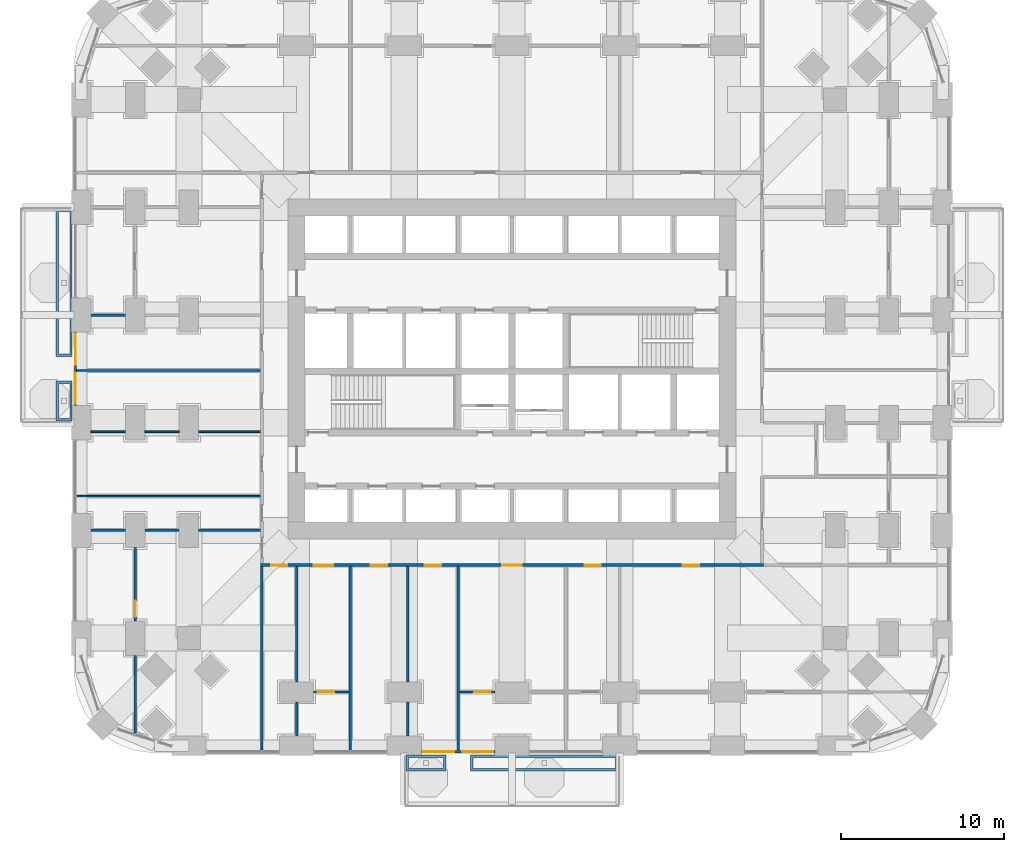
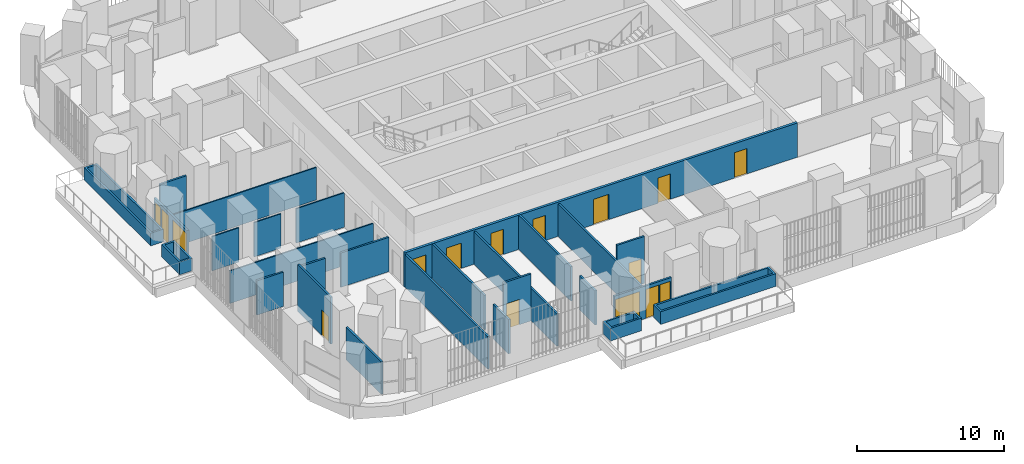
# One storey, part 17 of 26: 27 walls, 12 doors, 4 windows, 16 openings.
"""IFC4 building model written with IfcOpenShell, lengths in metres."""

from ifc_helpers import new_model, si_unit, direction, frame, frame_2d, origin, place, context, subcontext, project, spatial, polyline, rectangle, outline, extrude, material, layer, layer_set, type_object, element, fill, save


model = new_model("IFC4")

# Units and contexts
model_context = context("Model", 3, precision=1e-05, world=origin(), true_north=direction((0.0, 1.0)))
body_context = subcontext(model_context, "Body", "Model", "MODEL_VIEW")
ifc_project = project(units=[si_unit("LENGTHUNIT", "METRE"), si_unit("AREAUNIT", "SQUARE_METRE"), si_unit("VOLUMEUNIT", "CUBIC_METRE"), si_unit("PLANEANGLEUNIT", "RADIAN"), si_unit("MASSUNIT", "GRAM", prefix="KILO")], contexts=[model_context])

# Site, building, storey
site_placement = place(None, origin())
site = spatial("IfcSite", under=ifc_project, at=site_placement, CompositionType="ELEMENT")
building_placement = place(site_placement, origin())
building = spatial("IfcBuilding", under=site, at=building_placement, Name="Cobogo Forest Laboratory Tower", CompositionType="ELEMENT")
storey_placement = place(building_placement, frame((0.0, 0.0, 59.10009765625)))
storey = spatial("IfcBuildingStorey", under=building, at=storey_placement, Name="L13", CompositionType="ELEMENT", Elevation=59.10009765625)

# Wall, openings, door, windows
ifc_material_1 = material(Name="Aluminium framed glazed screen", Category="aluminium")
ifc_layer_1 = layer(ifc_material_1, 0.14990234375)
ifc_layer_set_1 = layer_set([ifc_layer_1], Name="GS1 glazed door screen 150")
wall_type_1 = type_object("IfcWallType", Name="GS1 glazed door screen 150", PredefinedType="SOLIDWALL", material=ifc_layer_set_1)
wall_1_placement = place(storey_placement, frame((20.85009765625, -0.35009765625, 0.0), z_axis=(0.0, 0.0, 1.0), x_axis=(1.0, 0.0, 0.0)))
wall_1 = element("IfcWall", 1, at=wall_1_placement, inside=storey, type_object=wall_type_1, Name="Door screen BAL-S1 L13", PredefinedType="SOLIDWALL", context=body_context, shape_type="SweptSolid", body=[
    extrude(rectangle(XDim=4.5, YDim=0.14990234375, at=frame_2d((2.25, 0.0))), origin(), (0.0, 0.0, 1.0), 2.699951171875),
])
opening_1_placement = place(wall_1_placement, frame((2.5, 0.0, 0.0)))
opening_1 = element("IfcOpeningElement", 2, at=opening_1_placement, cuts=wall_1, Name="Opening L13-D01", PredefinedType="OPENING", context=body_context, shape_type="SweptSolid", body=[
    extrude(rectangle(XDim=1.0, YDim=2.39990234375, at=frame_2d((0.5, 1.199951171875))), frame((0.0, 0.0849609375, 0.0), z_axis=(0.0, -1.0, 0.0), x_axis=(1.0, 0.0, 0.0)), (0.0, 0.0, 1.0), 0.169921875),
])
opening_2_placement = place(wall_1_placement, frame((0.10009765625, 0.0, 0.10009765625)))
opening_2 = element("IfcOpeningElement", 3, at=opening_2_placement, cuts=wall_1, Name="Opening L13-W01", PredefinedType="OPENING", context=body_context, shape_type="SweptSolid", body=[
    extrude(rectangle(XDim=1.89990234375, YDim=2.300048828125, at=frame_2d((0.949951171875, 1.14990234375))), frame((0.0, 0.0849609375, 0.0), z_axis=(0.0, -1.0, 0.0), x_axis=(1.0, 0.0, 0.0)), (0.0, 0.0, 1.0), 0.169921875),
])
opening_3_placement = place(wall_1_placement, frame((3.60009765625, 0.0, 0.10009765625)))
opening_3 = element("IfcOpeningElement", 4, at=opening_3_placement, cuts=wall_1, Name="Opening L13-W02", PredefinedType="OPENING", context=body_context, shape_type="SweptSolid", body=[
    extrude(rectangle(XDim=0.800048828125, YDim=2.300048828125, at=frame_2d((0.39990234375, 1.14990234375))), frame((0.0, 0.0849609375, 0.0), z_axis=(0.0, -1.0, 0.0), x_axis=(1.0, 0.0, 0.0)), (0.0, 0.0, 1.0), 0.169921875),
])
ifc_material_2 = material(Name="Aluminium glazed door", Category="aluminium")
door_type_1 = type_object("IfcDoorType", Name="DB1 balcony door 1000 glazed", OperationType="SINGLE_SWING_LEFT", PredefinedType="DOOR", material=ifc_material_2)
door_1_placement = place(opening_1_placement, origin())
door_1 = element("IfcDoor", 5, at=door_1_placement, inside=storey, type_object=door_type_1, Name="Door L13-BAL-S1", OperationType="SINGLE_SWING_RIGHT", OverallHeight=2.39990234375, OverallWidth=1.0, PredefinedType="DOOR", context=body_context, shape_type="SweptSolid", body=[
    extrude(rectangle(XDim=1.0, YDim=2.39990234375, at=frame_2d((0.5, 1.199951171875))), frame((0.0, 0.02490234375, 0.0), z_axis=(0.0, -1.0, 0.0), x_axis=(1.0, 0.0, 0.0)), (0.0, 0.0, 1.0), 0.050048828125),
])
fill(opening_1, door_1)
ifc_material_3 = material(Name="Aluminium framed glazing", Category="aluminium")
window_type_1 = type_object("IfcWindowType", Name="WG3 fixed glazed light 1900x2300", PartitioningType="SINGLE_PANEL", PredefinedType="WINDOW", material=ifc_material_3)
window_1_placement = place(opening_2_placement, origin())
window_1 = element("IfcWindow", 6, at=window_1_placement, inside=storey, type_object=window_type_1, Name="Window L13-BAL-S1-1", OverallHeight=2.300048828125, OverallWidth=1.89990234375, PartitioningType="SINGLE_PANEL", PredefinedType="WINDOW", context=body_context, shape_type="SweptSolid", body=[
    extrude(rectangle(XDim=1.89990234375, YDim=2.300048828125, at=frame_2d((0.949951171875, 1.14990234375))), frame((0.0, 0.030029296875, 0.0), z_axis=(0.0, -1.0, 0.0), x_axis=(1.0, 0.0, 0.0)), (0.0, 0.0, 1.0), 0.06005859375),
])
fill(opening_2, window_1)
window_type_2 = type_object("IfcWindowType", Name="WG4 fixed glazed light 800x2300", PartitioningType="SINGLE_PANEL", PredefinedType="WINDOW", material=ifc_material_3)
window_2_placement = place(opening_3_placement, origin())
window_2 = element("IfcWindow", 7, at=window_2_placement, inside=storey, type_object=window_type_2, Name="Window L13-BAL-S1-2", OverallHeight=2.300048828125, OverallWidth=0.800048828125, PartitioningType="SINGLE_PANEL", PredefinedType="WINDOW", context=body_context, shape_type="SweptSolid", body=[
    extrude(rectangle(XDim=0.800048828125, YDim=2.300048828125, at=frame_2d((0.39990234375, 1.14990234375))), frame((0.0, 0.030029296875, 0.0), z_axis=(0.0, -1.0, 0.0), x_axis=(1.0, 0.0, 0.0)), (0.0, 0.0, 1.0), 0.06005859375),
])
fill(opening_3, window_2)

wall_2_placement = place(storey_placement, frame((-0.35009765625, 25.35009765625, 0.0), z_axis=(0.0, 0.0, 1.0), x_axis=(0.0, -1.0, 0.0)))
wall_2 = element("IfcWall", 8, at=wall_2_placement, inside=storey, type_object=wall_type_1, Name="Door screen BAL-W1 L13", PredefinedType="SOLIDWALL", context=body_context, shape_type="SweptSolid", body=[
    extrude(rectangle(XDim=4.5, YDim=0.14990234375, at=frame_2d((2.25, 0.0))), origin(), (0.0, 0.0, 1.0), 2.699951171875),
])
opening_4_placement = place(wall_2_placement, frame((1.0, 0.0, 0.0)))
opening_4 = element("IfcOpeningElement", 9, at=opening_4_placement, cuts=wall_2, Name="Opening L13-D30", PredefinedType="OPENING", context=body_context, shape_type="SweptSolid", body=[
    extrude(rectangle(XDim=1.0, YDim=2.39990234375, at=frame_2d((0.5, 1.199951171875))), frame((0.0, 0.0849609375, 0.0), z_axis=(0.0, -1.0, 0.0), x_axis=(1.0, 0.0, 0.0)), (0.0, 0.0, 1.0), 0.169921875),
])
opening_5_placement = place(wall_2_placement, frame((0.10009765625, 0.0, 0.10009765625)))
opening_5 = element("IfcOpeningElement", 10, at=opening_5_placement, cuts=wall_2, Name="Opening L13-W05", PredefinedType="OPENING", context=body_context, shape_type="SweptSolid", body=[
    extrude(rectangle(XDim=0.800048828125, YDim=2.300048828125, at=frame_2d((0.39990234375, 1.14990234375))), frame((0.0, 0.0849609375, 0.0), z_axis=(0.0, -1.0, 0.0), x_axis=(1.0, 0.0, 0.0)), (0.0, 0.0, 1.0), 0.169921875),
])
opening_6_placement = place(wall_2_placement, frame((2.5, 0.0, 0.10009765625)))
opening_6 = element("IfcOpeningElement", 11, at=opening_6_placement, cuts=wall_2, Name="Opening L13-W03", PredefinedType="OPENING", context=body_context, shape_type="SweptSolid", body=[
    extrude(rectangle(XDim=1.89990234375, YDim=2.300048828125, at=frame_2d((0.949951171875, 1.14990234375))), frame((0.0, 0.0849609375, 0.0), z_axis=(0.0, -1.0, 0.0), x_axis=(1.0, 0.0, 0.0)), (0.0, 0.0, 1.0), 0.169921875),
])
door_2_placement = place(opening_4_placement, origin())
door_2 = element("IfcDoor", 12, at=door_2_placement, inside=storey, type_object=door_type_1, Name="Door L13-BAL-W1", OperationType="SINGLE_SWING_LEFT", OverallHeight=2.39990234375, OverallWidth=1.0, PredefinedType="DOOR", context=body_context, shape_type="SweptSolid", body=[
    extrude(rectangle(XDim=1.0, YDim=2.39990234375, at=frame_2d((0.5, 1.199951171875))), frame((0.0, 0.02490234375, 0.0), z_axis=(0.0, -1.0, 0.0), x_axis=(1.0, 0.0, 0.0)), (0.0, 0.0, 1.0), 0.050048828125),
])
fill(opening_4, door_2)
window_3_placement = place(opening_6_placement, origin())
window_3 = element("IfcWindow", 13, at=window_3_placement, inside=storey, type_object=window_type_1, Name="Window L13-BAL-W1-2", OverallHeight=2.300048828125, OverallWidth=1.89990234375, PartitioningType="SINGLE_PANEL", PredefinedType="WINDOW", context=body_context, shape_type="SweptSolid", body=[
    extrude(rectangle(XDim=1.89990234375, YDim=2.300048828125, at=frame_2d((0.949951171875, 1.14990234375))), frame((0.0, 0.030029296875, 0.0), z_axis=(0.0, -1.0, 0.0), x_axis=(1.0, 0.0, 0.0)), (0.0, 0.0, 1.0), 0.06005859375),
])
fill(opening_6, window_3)
window_4_placement = place(opening_5_placement, origin())
window_4 = element("IfcWindow", 14, at=window_4_placement, inside=storey, type_object=window_type_2, Name="Window L13-BAL-W1-1", OverallHeight=2.300048828125, OverallWidth=0.800048828125, PartitioningType="SINGLE_PANEL", PredefinedType="WINDOW", context=body_context, shape_type="SweptSolid", body=[
    extrude(rectangle(XDim=0.800048828125, YDim=2.300048828125, at=frame_2d((0.39990234375, 1.14990234375))), frame((0.0, 0.030029296875, 0.0), z_axis=(0.0, -1.0, 0.0), x_axis=(1.0, 0.0, 0.0)), (0.0, 0.0, 1.0), 0.06005859375),
])
fill(opening_5, window_4)

# Wall
ifc_material_4 = material(Name="Gypsum board on steel studs", Category="steel")
ifc_layer_2 = layer(ifc_material_4, 0.14990234375)
ifc_layer_set_2 = layer_set([ifc_layer_2], Name="PT1 laboratory partition 150")
wall_type_2 = type_object("IfcWallType", Name="PT1 laboratory partition 150", PredefinedType="PARTITIONING", material=ifc_layer_set_2)
wall_3_placement = place(storey_placement, frame((11.074951171875, -0.27001953125, 0.0), z_axis=(0.0, 0.0, 1.0), x_axis=(0.0, 1.0, 0.0)))
element("IfcWall", 15, at=wall_3_placement, inside=storey, type_object=wall_type_2, Name="Partition PW-SW L13", PredefinedType="PARTITIONING", context=body_context, shape_type="SweptSolid", body=[
    extrude(rectangle(XDim=11.2451171875, YDim=0.14990234375, at=frame_2d((5.62255859375, 0.0))), origin(), (0.0, 0.0, 1.0), 2.699951171875),
])

# Wall, opening, door
wall_4_placement = place(storey_placement, frame((14.25, 3.300048828125, 0.0), z_axis=(0.0, 0.0, 1.0), x_axis=(1.0, 0.0, 0.0)))
wall_4 = element("IfcWall", 16, at=wall_4_placement, inside=storey, type_object=wall_type_2, Name="Partition STRIP-S-1 L13", PredefinedType="PARTITIONING", context=body_context, shape_type="SweptSolid", body=[
    extrude(rectangle(XDim=2.175048828125, YDim=0.14990234375, at=frame_2d((1.08740234375, 0.0))), origin(), (0.0, 0.0, 1.0), 3.89990234375),
])
opening_7_placement = place(wall_4_placement, frame((0.25, 0.0, 0.0)))
opening_7 = element("IfcOpeningElement", 17, at=opening_7_placement, cuts=wall_4, Name="Opening L13-D02", PredefinedType="OPENING", context=body_context, shape_type="SweptSolid", body=[
    extrude(rectangle(XDim=1.0, YDim=2.10009765625, at=frame_2d((0.5, 1.050048828125))), frame((0.0, 0.0849609375, 0.0), z_axis=(0.0, -1.0, 0.0), x_axis=(1.0, 0.0, 0.0)), (0.0, 0.0, 1.0), 0.169921875),
])
ifc_material_5 = material(Name="Timber fire door", Category="wood")
door_type_2 = type_object("IfcDoorType", Name="FD2 fire door 1000 EI2 30", OperationType="SINGLE_SWING_LEFT", PredefinedType="DOOR", material=ifc_material_5)
door_3_placement = place(opening_7_placement, origin())
door_3 = element("IfcDoor", 18, at=door_3_placement, inside=storey, type_object=door_type_2, Name="Door L13-S2W", OperationType="SINGLE_SWING_LEFT", OverallHeight=2.10009765625, OverallWidth=1.0, PredefinedType="DOOR", context=body_context, shape_type="SweptSolid", body=[
    extrude(rectangle(XDim=1.0, YDim=2.10009765625, at=frame_2d((0.5, 1.050048828125))), frame((0.0, 0.02490234375, 0.0), z_axis=(0.0, -1.0, 0.0), x_axis=(1.0, 0.0, 0.0)), (0.0, 0.0, 1.0), 0.050048828125),
])
fill(opening_7, door_3)

wall_5_placement = place(storey_placement, frame((23.175048828125, 3.300048828125, 0.0), z_axis=(0.0, 0.0, 1.0), x_axis=(1.0, 0.0, 0.0)))
wall_5 = element("IfcWall", 19, at=wall_5_placement, inside=storey, type_object=wall_type_2, Name="Partition STRIP-S-2 L13", PredefinedType="PARTITIONING", context=body_context, shape_type="SweptSolid", body=[
    extrude(rectangle(XDim=2.175048828125, YDim=0.14990234375, at=frame_2d((1.08740234375, 0.0))), origin(), (0.0, 0.0, 1.0), 3.89990234375),
])
opening_8_placement = place(wall_5_placement, frame((0.925048828125, 0.0, 0.0)))
opening_8 = element("IfcOpeningElement", 20, at=opening_8_placement, cuts=wall_5, Name="Opening L13-D03", PredefinedType="OPENING", context=body_context, shape_type="SweptSolid", body=[
    extrude(rectangle(XDim=1.0, YDim=2.10009765625, at=frame_2d((0.5, 1.050048828125))), frame((0.0, 0.0849609375, 0.0), z_axis=(0.0, -1.0, 0.0), x_axis=(1.0, 0.0, 0.0)), (0.0, 0.0, 1.0), 0.169921875),
])
door_4_placement = place(opening_8_placement, origin())
door_4 = element("IfcDoor", 21, at=door_4_placement, inside=storey, type_object=door_type_2, Name="Door L13-S3W", OperationType="SINGLE_SWING_RIGHT", OverallHeight=2.10009765625, OverallWidth=1.0, PredefinedType="DOOR", context=body_context, shape_type="SweptSolid", body=[
    extrude(rectangle(XDim=1.0, YDim=2.10009765625, at=frame_2d((0.5, 1.050048828125))), frame((0.0, 0.02490234375, 0.0), z_axis=(0.0, -1.0, 0.0), x_axis=(1.0, 0.0, 0.0)), (0.0, 0.0, 1.0), 0.050048828125),
])
fill(opening_8, door_4)

# Walls
wall_6_placement = place(storey_placement, frame((20.0, 0.60009765625, 0.0), z_axis=(0.0, 0.0, 1.0), x_axis=(0.0, 1.0, 0.0)))
element("IfcWall", 22, at=wall_6_placement, inside=storey, type_object=wall_type_2, Name="Partition SVC-S1-1 L13", PredefinedType="PARTITIONING", context=body_context, shape_type="SweptSolid", body=[
    extrude(rectangle(XDim=2.099853515625, YDim=0.14990234375, at=frame_2d((1.0498046875, 0.0))), origin(), (0.0, 0.0, 1.0), 2.849853515625),
])
wall_7_placement = place(storey_placement, frame((20.0, 3.89990234375, 0.0), z_axis=(0.0, 0.0, 1.0), x_axis=(0.0, 1.0, 0.0)))
element("IfcWall", 23, at=wall_7_placement, inside=storey, type_object=wall_type_2, Name="Partition SVC-S1-2 L13", PredefinedType="PARTITIONING", context=body_context, shape_type="SweptSolid", body=[
    extrude(rectangle(XDim=7.0751953125, YDim=0.14990234375, at=frame_2d((3.53759765625, 0.0))), origin(), (0.0, 0.0, 1.0), 2.849853515625),
])
wall_8_placement = place(storey_placement, frame((23.10009765625, -0.27001953125, 0.0), z_axis=(0.0, 0.0, 1.0), x_axis=(0.0, 1.0, 0.0)))
element("IfcWall", 24, at=wall_8_placement, inside=storey, type_object=wall_type_2, Name="Partition SVC-S2-1 L13", PredefinedType="PARTITIONING", context=body_context, shape_type="SweptSolid", body=[
    extrude(rectangle(XDim=11.2451171875, YDim=0.14990234375, at=frame_2d((5.62255859375, 0.0))), origin(), (0.0, 0.0, 1.0), 2.699951171875),
])
wall_9_placement = place(storey_placement, frame((13.199951171875, 0.60009765625, 0.0), z_axis=(0.0, 0.0, 1.0), x_axis=(0.0, 1.0, 0.0)))
element("IfcWall", 25, at=wall_9_placement, inside=storey, type_object=wall_type_2, Name="Partition CUT-S13.2-1 L13", PredefinedType="PARTITIONING", context=body_context, shape_type="SweptSolid", body=[
    extrude(rectangle(XDim=2.099853515625, YDim=0.14990234375, at=frame_2d((1.0498046875, 0.0))), origin(), (0.0, 0.0, 1.0), 2.849853515625),
])
wall_10_placement = place(storey_placement, frame((13.199951171875, 3.89990234375, 0.0), z_axis=(0.0, 0.0, 1.0), x_axis=(0.0, 1.0, 0.0)))
element("IfcWall", 26, at=wall_10_placement, inside=storey, type_object=wall_type_2, Name="Partition CUT-S13.2-2 L13", PredefinedType="PARTITIONING", context=body_context, shape_type="SweptSolid", body=[
    extrude(rectangle(XDim=7.0751953125, YDim=0.14990234375, at=frame_2d((3.53759765625, 0.0))), origin(), (0.0, 0.0, 1.0), 2.849853515625),
])
wall_11_placement = place(storey_placement, frame((16.5, -0.27001953125, 0.0), z_axis=(0.0, 0.0, 1.0), x_axis=(0.0, 1.0, 0.0)))
element("IfcWall", 27, at=wall_11_placement, inside=storey, type_object=wall_type_2, Name="Partition CUT-S16.5-1 L13", PredefinedType="PARTITIONING", context=body_context, shape_type="SweptSolid", body=[
    extrude(rectangle(XDim=11.2451171875, YDim=0.14990234375, at=frame_2d((5.62255859375, 0.0))), origin(), (0.0, 0.0, 1.0), 2.699951171875),
])

# Wall, opening, door
wall_12_placement = place(storey_placement, frame((3.300048828125, 12.14990234375, 0.0), z_axis=(0.0, 0.0, 1.0), x_axis=(0.0, -1.0, 0.0)))
wall_12 = element("IfcWall", 28, at=wall_12_placement, inside=storey, type_object=wall_type_2, Name="Partition STRIP-W-2 L13", PredefinedType="PARTITIONING", context=body_context, shape_type="SweptSolid", body=[
    extrude(rectangle(XDim=4.5, YDim=0.14990234375, at=frame_2d((2.25, 0.0))), origin(), (0.0, 0.0, 1.0), 3.89990234375),
])
opening_9_placement = place(wall_12_placement, frame((3.25, 0.0, 0.0)))
opening_9 = element("IfcOpeningElement", 29, at=opening_9_placement, cuts=wall_12, Name="Opening L13-D06", PredefinedType="OPENING", context=body_context, shape_type="SweptSolid", body=[
    extrude(rectangle(XDim=1.0, YDim=2.10009765625, at=frame_2d((0.5, 1.050048828125))), frame((0.0, 0.0849609375, 0.0), z_axis=(0.0, -1.0, 0.0), x_axis=(1.0, 0.0, 0.0)), (0.0, 0.0, 1.0), 0.169921875),
])
door_5_placement = place(opening_9_placement, origin())
door_5 = element("IfcDoor", 30, at=door_5_placement, inside=storey, type_object=door_type_2, Name="Door L13-W1W", OperationType="SINGLE_SWING_RIGHT", OverallHeight=2.10009765625, OverallWidth=1.0, PredefinedType="DOOR", context=body_context, shape_type="SweptSolid", body=[
    extrude(rectangle(XDim=1.0, YDim=2.10009765625, at=frame_2d((0.5, 1.050048828125))), frame((0.0, 0.02490234375, 0.0), z_axis=(0.0, -1.0, 0.0), x_axis=(1.0, 0.0, 0.0)), (0.0, 0.0, 1.0), 0.050048828125),
])
fill(opening_9, door_5)

# Walls
wall_13_placement = place(storey_placement, frame((3.300048828125, 5.550048828125, 0.0), z_axis=(0.0, 0.0, 1.0), x_axis=(0.0, -1.0, 0.0)))
element("IfcWall", 31, at=wall_13_placement, inside=storey, type_object=wall_type_2, Name="Partition STRIP-W-3 L13", PredefinedType="PARTITIONING", context=body_context, shape_type="SweptSolid", body=[
    extrude(rectangle(XDim=4.77392578125, YDim=0.14990234375, at=frame_2d((2.386962890625, 0.0))), origin(), (0.0, 0.0, 1.0), 2.699951171875),
])
wall_14_placement = place(storey_placement, frame((0.60009765625, 13.199951171875, 0.0), z_axis=(0.0, 0.0, 1.0), x_axis=(1.0, 0.0, 0.0)))
element("IfcWall", 32, at=wall_14_placement, inside=storey, type_object=wall_type_2, Name="Partition CUT-W13.2-1 L13", PredefinedType="PARTITIONING", context=body_context, shape_type="SweptSolid", body=[
    extrude(rectangle(XDim=2.099853515625, YDim=0.14990234375, at=frame_2d((1.0498046875, 0.0))), origin(), (0.0, 0.0, 1.0), 2.849853515625),
])
wall_15_placement = place(storey_placement, frame((3.89990234375, 13.199951171875, 0.0), z_axis=(0.0, 0.0, 1.0), x_axis=(1.0, 0.0, 0.0)))
element("IfcWall", 33, at=wall_15_placement, inside=storey, type_object=wall_type_2, Name="Partition CUT-W13.2-2 L13", PredefinedType="PARTITIONING", context=body_context, shape_type="SweptSolid", body=[
    extrude(rectangle(XDim=2.10009765625, YDim=0.14990234375, at=frame_2d((1.050048828125, 0.0))), origin(), (0.0, 0.0, 1.0), 2.849853515625),
])
wall_16_placement = place(storey_placement, frame((7.199951171875, 13.199951171875, 0.0), z_axis=(0.0, 0.0, 1.0), x_axis=(1.0, 0.0, 0.0)))
element("IfcWall", 34, at=wall_16_placement, inside=storey, type_object=wall_type_2, Name="Partition CUT-W13.2-3 L13", PredefinedType="PARTITIONING", context=body_context, shape_type="SweptSolid", body=[
    extrude(rectangle(XDim=3.775146484375, YDim=0.14990234375, at=frame_2d((1.8876953125, 0.0))), origin(), (0.0, 0.0, 1.0), 2.849853515625),
])
wall_17_placement = place(storey_placement, frame((0.60009765625, 26.39990234375, 0.0), z_axis=(0.0, 0.0, 1.0), x_axis=(1.0, 0.0, 0.0)))
element("IfcWall", 35, at=wall_17_placement, inside=storey, type_object=wall_type_2, Name="Partition CUT-W26.4-1 L13", PredefinedType="PARTITIONING", context=body_context, shape_type="SweptSolid", body=[
    extrude(rectangle(XDim=2.099853515625, YDim=0.14990234375, at=frame_2d((1.0498046875, 0.0))), origin(), (0.0, 0.0, 1.0), 2.849853515625),
])

# Wall, openings, doors
ifc_layer_3 = layer(ifc_material_4, 0.199951171875)
ifc_layer_set_3 = layer_set([ifc_layer_3], Name="PT2 fire-rated corridor partition 200")
wall_type_3 = type_object("IfcWallType", Name="PT2 fire-rated corridor partition 200", PredefinedType="PARTITIONING", material=ifc_layer_set_3)
wall_18_placement = place(storey_placement, frame((10.97509765625, 11.074951171875, 0.0), z_axis=(0.0, 0.0, 1.0), x_axis=(1.0, 0.0, 0.0)))
wall_18 = element("IfcWall", 36, at=wall_18_placement, inside=storey, type_object=wall_type_3, Name="Partition CORR-S L13", PredefinedType="PARTITIONING", context=body_context, shape_type="SweptSolid", body=[
    extrude(rectangle(XDim=30.849853515625, YDim=0.199951171875, at=frame_2d((15.4248046875, 0.0))), origin(), (0.0, 0.0, 1.0), 2.849853515625),
])
opening_10_placement = place(wall_18_placement, frame((0.66259765625, 0.0, 0.0)))
opening_10 = element("IfcOpeningElement", 37, at=opening_10_placement, cuts=wall_18, Name="Opening L13-D07", PredefinedType="OPENING", context=body_context, shape_type="SweptSolid", body=[
    extrude(rectangle(XDim=1.0, YDim=2.10009765625, at=frame_2d((0.5, 1.050048828125))), frame((0.0, 0.10986328125, 0.0), z_axis=(0.0, -1.0, 0.0), x_axis=(1.0, 0.0, 0.0)), (0.0, 0.0, 1.0), 0.219970703125),
])
opening_11_placement = place(wall_18_placement, frame((3.27490234375, 0.0, 0.0)))
opening_11 = element("IfcOpeningElement", 38, at=opening_11_placement, cuts=wall_18, Name="Opening L13-D08", PredefinedType="OPENING", context=body_context, shape_type="SweptSolid", body=[
    extrude(rectangle(XDim=1.199951171875, YDim=2.10009765625, at=frame_2d((0.60009765625, 1.050048828125))), frame((0.0, 0.10986328125, 0.0), z_axis=(0.0, -1.0, 0.0), x_axis=(1.0, 0.0, 0.0)), (0.0, 0.0, 1.0), 0.219970703125),
])
opening_12_placement = place(wall_18_placement, frame((6.77490234375, 0.0, 0.0)))
opening_12 = element("IfcOpeningElement", 39, at=opening_12_placement, cuts=wall_18, Name="Opening L13-D09", PredefinedType="OPENING", context=body_context, shape_type="SweptSolid", body=[
    extrude(rectangle(XDim=1.0, YDim=2.10009765625, at=frame_2d((0.5, 1.050048828125))), frame((0.0, 0.10986328125, 0.0), z_axis=(0.0, -1.0, 0.0), x_axis=(1.0, 0.0, 0.0)), (0.0, 0.0, 1.0), 0.219970703125),
])
opening_13_placement = place(wall_18_placement, frame((10.074951171875, 0.0, 0.0)))
opening_13 = element("IfcOpeningElement", 40, at=opening_13_placement, cuts=wall_18, Name="Opening L13-D10", PredefinedType="OPENING", context=body_context, shape_type="SweptSolid", body=[
    extrude(rectangle(XDim=1.0, YDim=2.10009765625, at=frame_2d((0.5, 1.050048828125))), frame((0.0, 0.10986328125, 0.0), z_axis=(0.0, -1.0, 0.0), x_axis=(1.0, 0.0, 0.0)), (0.0, 0.0, 1.0), 0.219970703125),
])
opening_14_placement = place(wall_18_placement, frame((14.824951171875, 0.0, 0.0)))
opening_14 = element("IfcOpeningElement", 41, at=opening_14_placement, cuts=wall_18, Name="Opening L13-D11", PredefinedType="OPENING", context=body_context, shape_type="SweptSolid", body=[
    extrude(rectangle(XDim=1.199951171875, YDim=2.10009765625, at=frame_2d((0.60009765625, 1.050048828125))), frame((0.0, 0.10986328125, 0.0), z_axis=(0.0, -1.0, 0.0), x_axis=(1.0, 0.0, 0.0)), (0.0, 0.0, 1.0), 0.219970703125),
])
opening_15_placement = place(wall_18_placement, frame((19.875, 0.0, 0.0)))
opening_15 = element("IfcOpeningElement", 42, at=opening_15_placement, cuts=wall_18, Name="Opening L13-D12", PredefinedType="OPENING", context=body_context, shape_type="SweptSolid", body=[
    extrude(rectangle(XDim=1.0, YDim=2.10009765625, at=frame_2d((0.5, 1.050048828125))), frame((0.0, 0.10986328125, 0.0), z_axis=(0.0, -1.0, 0.0), x_axis=(1.0, 0.0, 0.0)), (0.0, 0.0, 1.0), 0.219970703125),
])
opening_16_placement = place(wall_18_placement, frame((25.887451171875, 0.0, 0.0)))
opening_16 = element("IfcOpeningElement", 43, at=opening_16_placement, cuts=wall_18, Name="Opening L13-D13", PredefinedType="OPENING", context=body_context, shape_type="SweptSolid", body=[
    extrude(rectangle(XDim=1.0, YDim=2.10009765625, at=frame_2d((0.5, 1.050048828125))), frame((0.0, 0.10986328125, 0.0), z_axis=(0.0, -1.0, 0.0), x_axis=(1.0, 0.0, 0.0)), (0.0, 0.0, 1.0), 0.219970703125),
])
ifc_material_6 = material(Name="Timber door", Category="wood")
door_type_3 = type_object("IfcDoorType", Name="D2 laboratory door 1200 unequal pair", OperationType="DOUBLE_DOOR_SINGLE_SWING", PredefinedType="DOOR", material=ifc_material_6)
door_6_placement = place(opening_11_placement, origin())
door_6 = element("IfcDoor", 44, at=door_6_placement, inside=storey, type_object=door_type_3, Name="Door L13-S2", OperationType="DOUBLE_DOOR_SINGLE_SWING", OverallHeight=2.10009765625, OverallWidth=1.199951171875, PredefinedType="DOOR", context=body_context, shape_type="SweptSolid", body=[
    extrude(rectangle(XDim=1.199951171875, YDim=2.10009765625, at=frame_2d((0.60009765625, 1.050048828125))), frame((0.0, 0.02490234375, 0.0), z_axis=(0.0, -1.0, 0.0), x_axis=(1.0, 0.0, 0.0)), (0.0, 0.0, 1.0), 0.050048828125),
])
fill(opening_11, door_6)
door_7_placement = place(opening_14_placement, origin())
door_7 = element("IfcDoor", 45, at=door_7_placement, inside=storey, type_object=door_type_3, Name="Door L13-S3", OperationType="DOUBLE_DOOR_SINGLE_SWING", OverallHeight=2.10009765625, OverallWidth=1.199951171875, PredefinedType="DOOR", context=body_context, shape_type="SweptSolid", body=[
    extrude(rectangle(XDim=1.199951171875, YDim=2.10009765625, at=frame_2d((0.60009765625, 1.050048828125))), frame((0.0, 0.02490234375, 0.0), z_axis=(0.0, -1.0, 0.0), x_axis=(1.0, 0.0, 0.0)), (0.0, 0.0, 1.0), 0.050048828125),
])
fill(opening_14, door_7)
door_8_placement = place(opening_10_placement, origin())
door_8 = element("IfcDoor", 46, at=door_8_placement, inside=storey, type_object=door_type_2, Name="Door L13-S1", OperationType="SINGLE_SWING_LEFT", OverallHeight=2.10009765625, OverallWidth=1.0, PredefinedType="DOOR", context=body_context, shape_type="SweptSolid", body=[
    extrude(rectangle(XDim=1.0, YDim=2.10009765625, at=frame_2d((0.5, 1.050048828125))), frame((0.0, 0.02490234375, 0.0), z_axis=(0.0, -1.0, 0.0), x_axis=(1.0, 0.0, 0.0)), (0.0, 0.0, 1.0), 0.050048828125),
])
fill(opening_10, door_8)
door_9_placement = place(opening_12_placement, origin())
door_9 = element("IfcDoor", 47, at=door_9_placement, inside=storey, type_object=door_type_2, Name="Door L13-MTG", OperationType="SINGLE_SWING_LEFT", OverallHeight=2.10009765625, OverallWidth=1.0, PredefinedType="DOOR", context=body_context, shape_type="SweptSolid", body=[
    extrude(rectangle(XDim=1.0, YDim=2.10009765625, at=frame_2d((0.5, 1.050048828125))), frame((0.0, 0.02490234375, 0.0), z_axis=(0.0, -1.0, 0.0), x_axis=(1.0, 0.0, 0.0)), (0.0, 0.0, 1.0), 0.050048828125),
])
fill(opening_12, door_9)
door_10_placement = place(opening_13_placement, origin())
door_10 = element("IfcDoor", 48, at=door_10_placement, inside=storey, type_object=door_type_2, Name="Door L13-PAN", OperationType="SINGLE_SWING_LEFT", OverallHeight=2.10009765625, OverallWidth=1.0, PredefinedType="DOOR", context=body_context, shape_type="SweptSolid", body=[
    extrude(rectangle(XDim=1.0, YDim=2.10009765625, at=frame_2d((0.5, 1.050048828125))), frame((0.0, 0.02490234375, 0.0), z_axis=(0.0, -1.0, 0.0), x_axis=(1.0, 0.0, 0.0)), (0.0, 0.0, 1.0), 0.050048828125),
])
fill(opening_13, door_10)
door_11_placement = place(opening_15_placement, origin())
door_11 = element("IfcDoor", 49, at=door_11_placement, inside=storey, type_object=door_type_2, Name="Door L13-S4", OperationType="SINGLE_SWING_RIGHT", OverallHeight=2.10009765625, OverallWidth=1.0, PredefinedType="DOOR", context=body_context, shape_type="SweptSolid", body=[
    extrude(rectangle(XDim=1.0, YDim=2.10009765625, at=frame_2d((0.5, 1.050048828125))), frame((0.0, 0.02490234375, 0.0), z_axis=(0.0, -1.0, 0.0), x_axis=(1.0, 0.0, 0.0)), (0.0, 0.0, 1.0), 0.050048828125),
])
fill(opening_15, door_11)
door_12_placement = place(opening_16_placement, origin())
door_12 = element("IfcDoor", 50, at=door_12_placement, inside=storey, type_object=door_type_2, Name="Door L13-S5", OperationType="SINGLE_SWING_RIGHT", OverallHeight=2.10009765625, OverallWidth=1.0, PredefinedType="DOOR", context=body_context, shape_type="SweptSolid", body=[
    extrude(rectangle(XDim=1.0, YDim=2.10009765625, at=frame_2d((0.5, 1.050048828125))), frame((0.0, 0.02490234375, 0.0), z_axis=(0.0, -1.0, 0.0), x_axis=(1.0, 0.0, 0.0)), (0.0, 0.0, 1.0), 0.050048828125),
])
fill(opening_16, door_12)

# Walls
ifc_layer_4 = layer(ifc_material_4, 0.10009765625)
ifc_layer_set_4 = layer_set([ifc_layer_4], Name="PT3 toilet partition 100")
wall_type_4 = type_object("IfcWallType", Name="PT3 toilet partition 100", PredefinedType="PARTITIONING", material=ifc_layer_set_4)
wall_19_placement = place(storey_placement, frame((-0.27001953125, 15.300048828125, 0.0), z_axis=(0.0, 0.0, 1.0), x_axis=(1.0, 0.0, 0.0)))
element("IfcWall", 51, at=wall_19_placement, inside=storey, type_object=wall_type_4, Name="Partition SVC-W1-1 L13", PredefinedType="PARTITIONING", context=body_context, shape_type="SweptSolid", body=[
    extrude(rectangle(XDim=11.2451171875, YDim=0.10009765625, at=frame_2d((5.62255859375, 0.0))), origin(), (0.0, 0.0, 1.0), 2.699951171875),
])
wall_20_placement = place(storey_placement, frame((0.60009765625, 19.25, 0.0), z_axis=(0.0, 0.0, 1.0), x_axis=(1.0, 0.0, 0.0)))
element("IfcWall", 52, at=wall_20_placement, inside=storey, type_object=wall_type_4, Name="Partition SVC-W2-1 L13", PredefinedType="PARTITIONING", context=body_context, shape_type="SweptSolid", body=[
    extrude(rectangle(XDim=2.099853515625, YDim=0.10009765625, at=frame_2d((1.0498046875, 0.0))), origin(), (0.0, 0.0, 1.0), 2.849853515625),
])
wall_21_placement = place(storey_placement, frame((3.89990234375, 19.25, 0.0), z_axis=(0.0, 0.0, 1.0), x_axis=(1.0, 0.0, 0.0)))
element("IfcWall", 53, at=wall_21_placement, inside=storey, type_object=wall_type_4, Name="Partition SVC-W2-2 L13", PredefinedType="PARTITIONING", context=body_context, shape_type="SweptSolid", body=[
    extrude(rectangle(XDim=2.10009765625, YDim=0.10009765625, at=frame_2d((1.050048828125, 0.0))), origin(), (0.0, 0.0, 1.0), 2.849853515625),
])
wall_22_placement = place(storey_placement, frame((7.199951171875, 19.25, 0.0), z_axis=(0.0, 0.0, 1.0), x_axis=(1.0, 0.0, 0.0)))
element("IfcWall", 54, at=wall_22_placement, inside=storey, type_object=wall_type_4, Name="Partition SVC-W2-3 L13", PredefinedType="PARTITIONING", context=body_context, shape_type="SweptSolid", body=[
    extrude(rectangle(XDim=3.775146484375, YDim=0.10009765625, at=frame_2d((1.8876953125, 0.0))), origin(), (0.0, 0.0, 1.0), 2.849853515625),
])
wall_23_placement = place(storey_placement, frame((-0.27001953125, 23.0, 0.0), z_axis=(0.0, 0.0, 1.0), x_axis=(1.0, 0.0, 0.0)))
element("IfcWall", 55, at=wall_23_placement, inside=storey, type_object=wall_type_4, Name="Partition SVC-W3-1 L13", PredefinedType="PARTITIONING", context=body_context, shape_type="SweptSolid", body=[
    extrude(rectangle(XDim=11.2451171875, YDim=0.10009765625, at=frame_2d((5.62255859375, 0.0))), origin(), (0.0, 0.0, 1.0), 2.699951171875),
])
ifc_material_7 = material(Name="Concrete HA-40 (C40/50)", Category="concrete")
ifc_layer_5 = layer(ifc_material_7, 0.14990234375)
ifc_layer_set_5 = layer_set([ifc_layer_5], Name="Planter box 1000x1050")
wall_type_5 = type_object("IfcWallType", Name="Planter box 1000x1050", PredefinedType="USERDEFINED", material=ifc_layer_set_5)
wall_24_placement = place(storey_placement, origin())
element("IfcWall", 56, at=wall_24_placement, inside=storey, type_object=wall_type_5, Name="Planter BAL-S1-1 L13", ObjectType="PLANTER", PredefinedType="USERDEFINED", context=body_context, shape_type="SweptSolid", body=[
    extrude(outline(polyline([(19.89990234375, -1.550048828125), (22.35009765625, -1.550048828125), (22.35009765625, -0.550048828125), (19.89990234375, -0.550048828125), (19.89990234375, -1.550048828125)]), holes=[polyline([(20.050048828125, -1.39990234375), (22.199951171875, -1.39990234375), (22.199951171875, -0.699951171875), (20.050048828125, -0.699951171875), (20.050048828125, -1.39990234375)])]), origin(), (0.0, 0.0, 1.0), 1.0498046875),
])
wall_25_placement = place(storey_placement, origin())
element("IfcWall", 57, at=wall_25_placement, inside=storey, type_object=wall_type_5, Name="Planter BAL-S1-2 L13", ObjectType="PLANTER", PredefinedType="USERDEFINED", context=body_context, shape_type="SweptSolid", body=[
    extrude(outline(polyline([(23.85009765625, -1.550048828125), (32.89990234375, -1.550048828125), (32.89990234375, -0.550048828125), (23.85009765625, -0.550048828125), (23.85009765625, -1.550048828125)]), holes=[polyline([(24.0, -1.39990234375), (32.75, -1.39990234375), (32.75, -0.699951171875), (24.0, -0.699951171875), (24.0, -1.39990234375)])]), origin(), (0.0, 0.0, 1.0), 1.0498046875),
])
wall_26_placement = place(storey_placement, origin())
element("IfcWall", 58, at=wall_26_placement, inside=storey, type_object=wall_type_5, Name="Planter BAL-W1-1 L13", ObjectType="PLANTER", PredefinedType="USERDEFINED", context=body_context, shape_type="SweptSolid", body=[
    extrude(outline(polyline([(-1.550048828125, 19.89990234375), (-0.550048828125, 19.89990234375), (-0.550048828125, 22.35009765625), (-1.550048828125, 22.35009765625), (-1.550048828125, 19.89990234375)]), holes=[polyline([(-1.39990234375, 20.050048828125), (-0.699951171875, 20.050048828125), (-0.699951171875, 22.199951171875), (-1.39990234375, 22.199951171875), (-1.39990234375, 20.050048828125)])]), origin(), (0.0, 0.0, 1.0), 1.0498046875),
])
wall_27_placement = place(storey_placement, origin())
element("IfcWall", 59, at=wall_27_placement, inside=storey, type_object=wall_type_5, Name="Planter BAL-W1-2 L13", ObjectType="PLANTER", PredefinedType="USERDEFINED", context=body_context, shape_type="SweptSolid", body=[
    extrude(outline(polyline([(-1.550048828125, 23.85009765625), (-0.550048828125, 23.85009765625), (-0.550048828125, 32.89990234375), (-1.550048828125, 32.89990234375), (-1.550048828125, 23.85009765625)]), holes=[polyline([(-1.39990234375, 24.0), (-0.699951171875, 24.0), (-0.699951171875, 32.75), (-1.39990234375, 32.75), (-1.39990234375, 24.0)])]), origin(), (0.0, 0.0, 1.0), 1.0498046875),
])

save(model, "model.ifc")
